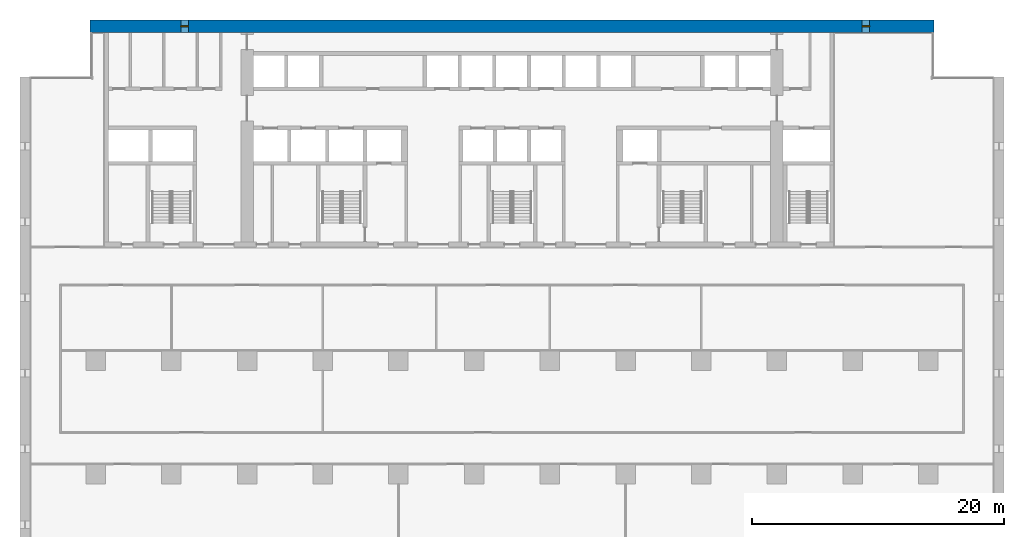
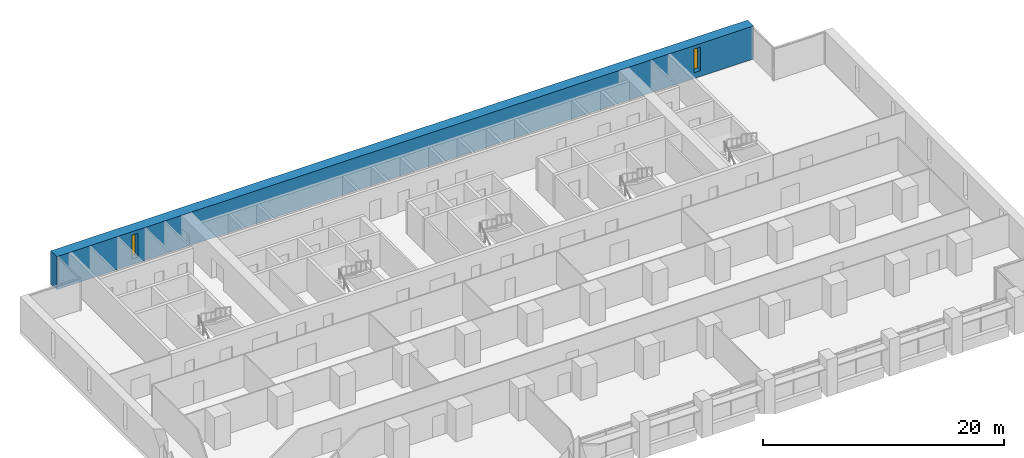
# One storey, part 12 of 17: 2 windows, 1 wall, 2 openings.
"""IFC4 building model written with IfcOpenShell, lengths in metres."""

from ifc_helpers import new_model, si_unit, direction, frame, frame_2d, origin, place, context, subcontext, project, spatial, rectangle, extrude, material, layer, layer_set, type_object, element, fill, save


model = new_model("IFC4")

# Units and contexts
model_context = context("Model", 3, precision=1e-05, world=origin(), true_north=direction((0.0, 1.0)))
body_context = subcontext(model_context, "Body", "Model", "MODEL_VIEW")
ifc_project = project(units=[si_unit("LENGTHUNIT", "METRE"), si_unit("AREAUNIT", "SQUARE_METRE"), si_unit("VOLUMEUNIT", "CUBIC_METRE"), si_unit("PLANEANGLEUNIT", "RADIAN"), si_unit("MASSUNIT", "GRAM", prefix="KILO")], contexts=[model_context])

# Site, building, storey
site_placement = place(None, origin())
site = spatial("IfcSite", under=ifc_project, at=site_placement, CompositionType="ELEMENT")
building_placement = place(site_placement, origin())
building = spatial("IfcBuilding", under=site, at=building_placement, Name="Calvaro Tower", CompositionType="ELEMENT")
storey_placement = place(building_placement, frame((0.0, 0.0, 75.0)))
storey = spatial("IfcBuildingStorey", under=building, at=storey_placement, Name="L18", CompositionType="ELEMENT", Elevation=75.0)

# Wall, openings, windows
ifc_material_1 = material(Name="Concrete C80/95", Category="concrete")
ifc_layer = layer(ifc_material_1, 1.0)
ifc_layer_set = layer_set([ifc_layer], Name="Concrete C80/95")
wall_type = type_object("IfcWallType", Name="Rear core wall 1000 C80/95", PredefinedType="SHEAR", material=ifc_layer_set)
wall_placement = place(storey_placement, frame((5.550048828125, 45.5, 0.0), z_axis=(0.0, 0.0, 1.0), x_axis=(1.0, 0.0, 0.0)))
wall = element("IfcWall", 1, at=wall_placement, inside=storey, type_object=wall_type, Name="North core wall", PredefinedType="SHEAR", context=body_context, shape_type="SweptSolid", body=[
    extrude(rectangle(XDim=66.89990234375, YDim=1.0, at=frame_2d((33.449951171875, 0.0))), origin(), (0.0, 0.0, 1.0), 3.35009765625),
])
opening_1_placement = place(wall_placement, frame((7.199951171875, 0.0, 0.60009765625)))
opening_1 = element("IfcOpeningElement", 2, at=opening_1_placement, cuts=wall, Name="Opening WN02", PredefinedType="OPENING", context=body_context, shape_type="SweptSolid", body=[
    extrude(rectangle(XDim=0.60009765625, YDim=2.39990234375, at=frame_2d((0.300048828125, 1.199951171875))), frame((0.0, 0.510009765625, 0.0), z_axis=(0.0, -1.0, 0.0), x_axis=(1.0, 0.0, 0.0)), (0.0, 0.0, 1.0), 1.02001953125),
])
opening_2_placement = place(wall_placement, frame((61.199951171875, 0.0, 0.60009765625)))
opening_2 = element("IfcOpeningElement", 3, at=opening_2_placement, cuts=wall, Name="Opening WN11", PredefinedType="OPENING", context=body_context, shape_type="SweptSolid", body=[
    extrude(rectangle(XDim=0.60009765625, YDim=2.39990234375, at=frame_2d((0.300048828125, 1.199951171875))), frame((0.0, 0.510009765625, 0.0), z_axis=(0.0, -1.0, 0.0), x_axis=(1.0, 0.0, 0.0)), (0.0, 0.0, 1.0), 1.02001953125),
])
ifc_material_2 = material(Name="Glass", Category="glass")
window_type = type_object("IfcWindowType", Name="Slit window 600 x 2400", PartitioningType="SINGLE_PANEL", PredefinedType="WINDOW", material=ifc_material_2)
window_1_placement = place(opening_1_placement, origin())
window_1 = element("IfcWindow", 4, at=window_1_placement, inside=storey, type_object=window_type, Name="Window WN02", OverallHeight=2.39990234375, OverallWidth=0.60009765625, PartitioningType="SINGLE_PANEL", PredefinedType="WINDOW", context=body_context, shape_type="SweptSolid", body=[
    extrude(rectangle(XDim=0.60009765625, YDim=2.39990234375, at=frame_2d((0.300048828125, 1.199951171875))), frame((0.0, 0.030029296875, 0.0), z_axis=(0.0, -1.0, 0.0), x_axis=(1.0, 0.0, 0.0)), (0.0, 0.0, 1.0), 0.06005859375),
])
fill(opening_1, window_1)
window_2_placement = place(opening_2_placement, origin())
window_2 = element("IfcWindow", 5, at=window_2_placement, inside=storey, type_object=window_type, Name="Window WN11", OverallHeight=2.39990234375, OverallWidth=0.60009765625, PartitioningType="SINGLE_PANEL", PredefinedType="WINDOW", context=body_context, shape_type="SweptSolid", body=[
    extrude(rectangle(XDim=0.60009765625, YDim=2.39990234375, at=frame_2d((0.300048828125, 1.199951171875))), frame((0.0, 0.030029296875, 0.0), z_axis=(0.0, -1.0, 0.0), x_axis=(1.0, 0.0, 0.0)), (0.0, 0.0, 1.0), 0.06005859375),
])
fill(opening_2, window_2)

save(model, "model.ifc")
